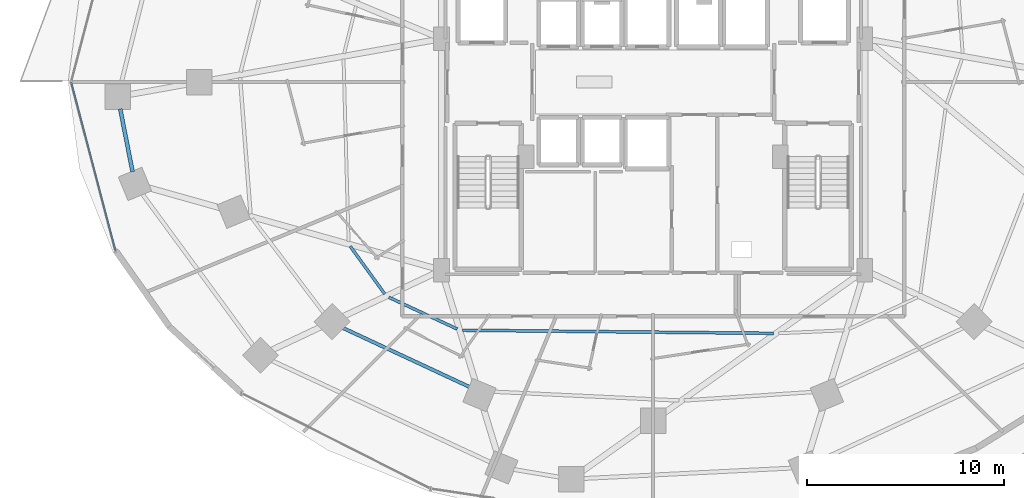
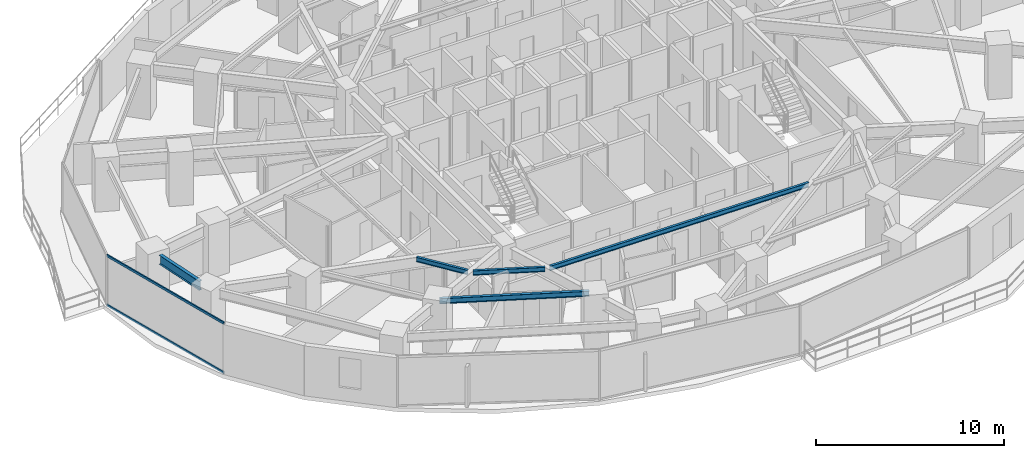
# One storey, part 7 of 34: 5 beams, 2 members, 1 element without a shape of its own.
"""IFC4 building model written with IfcOpenShell, lengths in metres."""

from ifc_helpers import new_model, si_unit, direction, frame, origin, origin_2d, place, context, subcontext, project, spatial, hollow_rectangle, i_section, extrude, material, material_profile, profile_set, type_object, element, aggregate, save


model = new_model("IFC4")

# Units and contexts
model_context = context("Model", 3, precision=1e-05, world=origin(), true_north=direction((0.0, 1.0)))
body_context = subcontext(model_context, "Body", "Model", "MODEL_VIEW")
ifc_project = project(units=[si_unit("LENGTHUNIT", "METRE"), si_unit("AREAUNIT", "SQUARE_METRE"), si_unit("VOLUMEUNIT", "CUBIC_METRE"), si_unit("PLANEANGLEUNIT", "RADIAN"), si_unit("MASSUNIT", "GRAM", prefix="KILO")], contexts=[model_context])

# Site, building, storey
site_placement = place(None, origin())
site = spatial("IfcSite", under=ifc_project, at=site_placement, CompositionType="ELEMENT")
building_placement = place(site_placement, origin())
building = spatial("IfcBuilding", under=site, at=building_placement, Name="Vorneva Point Tower", CompositionType="ELEMENT")
storey_placement = place(building_placement, frame((0.0, 0.0, 31.0)))
storey = spatial("IfcBuildingStorey", under=building, at=storey_placement, Name="L07", CompositionType="ELEMENT", Elevation=31.0)

# Beams
ifc_material_1 = material(Name="Steel S355", Category="steel")
ifc_material_profile_1 = material_profile(ifc_material_1, i_section(OverallWidth=0.14892578125, OverallDepth=0.298095703125, WebThickness=0.005615234375, FlangeThickness=0.008056640625, at=origin_2d()), Name="30B1")
ifc_profile_set_1 = profile_set([ifc_material_profile_1], Name="Steel S355")
beam_type_1 = type_object("IfcBeamType", Name="BM-JST-30B1", PredefinedType="JOIST", material=ifc_profile_set_1)
beam_1_placement = place(storey_placement, frame((22.617431640625, 17.664794921875, 3.091064453125), z_axis=(0.586519051384, -0.809935430984, 0.0), x_axis=(0.809935430984, 0.586519051384, 0.0)))
element("IfcBeam", 1, at=beam_1_placement, inside=storey, type_object=beam_type_1, Name="L07 Secondary Floor Beam 2.10", PredefinedType="JOIST", context=body_context, shape_type="SweptSolid", body=[
    extrude(i_section(OverallWidth=0.14892578125, OverallDepth=0.298095703125, WebThickness=0.005615234375, FlangeThickness=0.008056640625, at=origin_2d()), origin(), (0.0, 0.0, 1.0), 2.98876953125),
])
beam_2_placement = place(storey_placement, frame((24.576416015625, 15.07421875, 3.091064453125), z_axis=(0.906875117786, -0.421399478808, 0.0), x_axis=(0.421399478808, 0.906875117786, 0.0)))
element("IfcBeam", 2, at=beam_2_placement, inside=storey, type_object=beam_type_1, Name="L07 Secondary Floor Beam 2.11", PredefinedType="JOIST", context=body_context, shape_type="SweptSolid", body=[
    extrude(i_section(OverallWidth=0.14892578125, OverallDepth=0.298095703125, WebThickness=0.005615234375, FlangeThickness=0.008056640625, at=origin_2d()), origin(), (0.0, 0.0, 1.0), 3.8330078125),
])
beam_3_placement = place(storey_placement, frame((28.315673828125, 13.399658203125, 3.091064453125), z_axis=(0.999949783925, -0.010021458443, 0.0), x_axis=(0.010021458443, 0.999949783925, 0.0)))
element("IfcBeam", 3, at=beam_3_placement, inside=storey, type_object=beam_type_1, Name="L07 Secondary Floor Beam 2.12", PredefinedType="JOIST", context=body_context, shape_type="SweptSolid", body=[
    extrude(i_section(OverallWidth=0.14892578125, OverallDepth=0.298095703125, WebThickness=0.005615234375, FlangeThickness=0.008056640625, at=origin_2d()), origin(), (0.0, 0.0, 1.0), 15.786376953125),
])
ifc_material_profile_2 = material_profile(ifc_material_1, i_section(OverallWidth=0.174072265625, OverallDepth=0.345947265625, WebThickness=0.006103515625, FlangeThickness=0.009033203125, at=origin_2d()), Name="35B1")
ifc_profile_set_2 = profile_set([ifc_material_profile_2], Name="Steel S355")
beam_type_2 = type_object("IfcBeamType", Name="BM-SEC-35B1", PredefinedType="BEAM", material=ifc_profile_set_2)
beam_4_placement = place(storey_placement, frame((21.7529296875, 13.7451171875, 3.06689453125), z_axis=(0.906436807177, -0.422341466818, 0.0), x_axis=(0.422341466818, 0.906436807177, 0.0)))
element("IfcBeam", 4, at=beam_4_placement, inside=storey, type_object=beam_type_2, Name="L07 Secondary Floor Beam 1.11", PredefinedType="BEAM", context=body_context, shape_type="SweptSolid", body=[
    extrude(i_section(OverallWidth=0.174072265625, OverallDepth=0.345947265625, WebThickness=0.006103515625, FlangeThickness=0.009033203125, at=origin_2d()), origin(), (0.0, 0.0, 1.0), 7.98583984375),
])
ifc_material_profile_3 = material_profile(ifc_material_1, i_section(OverallWidth=0.198974609375, OverallDepth=0.595947265625, WebThickness=0.010009765625, FlangeThickness=0.014892578125, at=origin_2d()), Name="60B1")
ifc_profile_set_3 = profile_set([ifc_material_profile_3], Name="Steel S355")
beam_type_3 = type_object("IfcBeamType", Name="BM-SPN-60B1", PredefinedType="SPANDREL", material=ifc_profile_set_3)
beam_5_placement = place(storey_placement, frame((10.940185546875, 24.6376953125, 2.94189453125), z_axis=(0.192701334008, -0.981257456467, 0.0), x_axis=(0.981257456467, 0.192701334008, 0.0)))
element("IfcBeam", 5, at=beam_5_placement, inside=storey, type_object=beam_type_3, Name="L07 Perimeter Spandrel Ring Beam 09", PredefinedType="SPANDREL", context=body_context, shape_type="SweptSolid", body=[
    extrude(i_section(OverallWidth=0.198974609375, OverallDepth=0.595947265625, WebThickness=0.010009765625, FlangeThickness=0.014892578125, at=origin_2d()), origin(), (0.0, 0.0, 1.0), 3.245849609375),
])

# Curtain wall, members
ifc_material_2 = material(Name="Pale anodised aluminium", Category="aluminium")
curtain_wall_type = type_object("IfcCurtainWallType", Name="CW-HTL-SYS", PredefinedType="NOTDEFINED", material=ifc_material_2)
curtain_wall_placement = place(storey_placement, origin())
curtain_wall = element("IfcCurtainWall", 6, at=curtain_wall_placement, inside=storey, type_object=curtain_wall_type, Name="L07 Unitised Curtain Wall CW-L07-R03", PredefinedType="NOTDEFINED")
ifc_material_profile_4 = material_profile(ifc_material_2, hollow_rectangle(XDim=0.074951171875, YDim=0.14990234375, WallThickness=0.00390625, at=origin_2d()), Name="AL-TRN 150x75x4")
ifc_profile_set_4 = profile_set([ifc_material_profile_4], Name="Pale anodised aluminium")
member_type = type_object("IfcMemberType", Name="CW-TRN-150", PredefinedType="USERDEFINED", material=ifc_profile_set_4)
member_1_placement = place(storey_placement, frame((8.449951171875, 26.0, 0.02001953125), z_axis=(0.254358772746, -0.967109928978, 0.0), x_axis=(0.967109928978, 0.254358772746, 0.0)))
member_1 = element("IfcMember", 7, at=member_1_placement, type_object=member_type, Name="CW-L07-R03 Transom 03.1", ObjectType="TRANSOM", PredefinedType="USERDEFINED", context=body_context, shape_type="SweptSolid", body=[
    extrude(hollow_rectangle(XDim=0.074951171875, YDim=0.14990234375, WallThickness=0.00390625, at=origin_2d()), origin(), (0.0, 0.0, 1.0), 8.84375),
])
member_2_placement = place(storey_placement, frame((8.449951171875, 26.0, 3.219970703125), z_axis=(0.254358772746, -0.967109928978, 0.0), x_axis=(0.967109928978, 0.254358772746, 0.0)))
member_2 = element("IfcMember", 8, at=member_2_placement, type_object=member_type, Name="CW-L07-R03 Transom 03.2", ObjectType="TRANSOM", PredefinedType="USERDEFINED", context=body_context, shape_type="SweptSolid", body=[
    extrude(hollow_rectangle(XDim=0.074951171875, YDim=0.14990234375, WallThickness=0.00390625, at=origin_2d()), origin(), (0.0, 0.0, 1.0), 8.84375),
])
aggregate(curtain_wall, [member_1, member_2])

save(model, "model.ifc")
